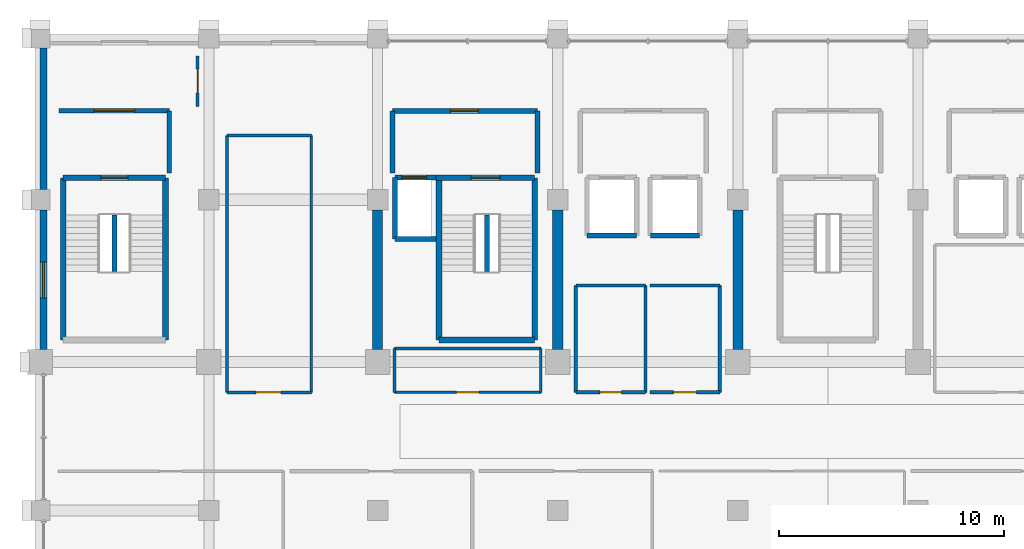
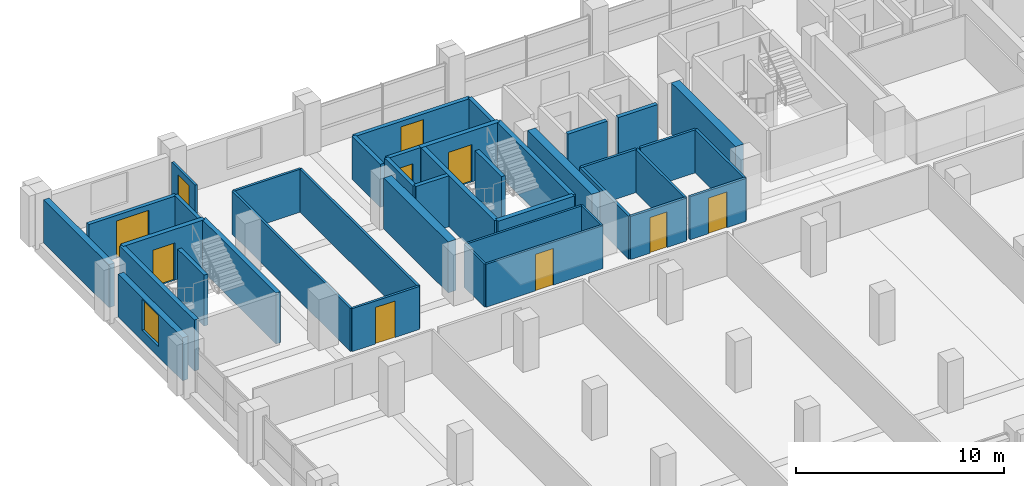
# One storey, part 17 of 22: 40 walls, 10 doors, 1 window, 11 openings.
"""IFC4 building model written with IfcOpenShell, lengths in metres."""

import ifcopenshell
import ifcopenshell.guid

model = None  # the IFC model being written
_history = None  # IfcOwnerHistory: only IFC2X3 demands one
_inside = {}  # id of a spatial element -> (the spatial element, [elements in it])
_under = {}  # id of a project, library or spatial element -> (it, [spatial elements below it])
_declared = {}  # id of a project -> (the project, [libraries it declares])
_typed = {}  # id of a type object -> (the type object, [elements of that type])
_made_of = {}  # id of a material, layer set ... -> (it, [elements and type objects made of it])


def new_model(schema):
    """Start an empty IFC model of exactly this schema.

    Asked for "IFC4X3", IfcOpenShell would pick the latest addendum, in which some entities
    have other attributes; the version numbers below select the first issue.
    IFC2X3 requires an IfcOwnerHistory on every rooted entity: one is made here for all.
    """
    global model, _history
    if schema == "IFC4X3":
        model = ifcopenshell.file(schema_version=(4, 3, 0, 0))
    else:
        model = ifcopenshell.file(schema=schema)
    _inside.clear()
    _under.clear()
    _declared.clear()
    _typed.clear()
    _made_of.clear()
    _history = None
    if model.schema == "IFC2X3":
        org = make("IfcOrganization", Name="unknown")
        user = make(
            "IfcPersonAndOrganization",
            ThePerson=make("IfcPerson", FamilyName="unknown"),
            TheOrganization=org,
        )
        app = make(
            "IfcApplication",
            ApplicationDeveloper=org,
            Version="unknown",
            ApplicationFullName="unknown",
            ApplicationIdentifier="unknown",
        )
        _history = make(
            "IfcOwnerHistory",
            OwningUser=user,
            OwningApplication=app,
            ChangeAction="ADDED",
            CreationDate=0,
        )
    return model


def make(cls, **values):
    """One entity of the class cls with the attributes given. An attribute that is None is left unset."""
    return model.create_entity(
        cls, **{name: value for name, value in values.items() if value is not None}
    )


def rooted(cls, **values):
    """An entity with a GlobalId (a new one), such as an element, a storey or a relation."""
    return make(cls, GlobalId=ifcopenshell.guid.new(), OwnerHistory=_history, **values)


def si_unit(unit_type, name, prefix=None):
    """IfcSIUnit, for example si_unit("LENGTHUNIT", "METRE", prefix="MILLI")."""
    return make("IfcSIUnit", UnitType=unit_type, Prefix=prefix, Name=name)


def assignment(units):
    """IfcUnitAssignment: the units of a project."""
    return None if units is None else make("IfcUnitAssignment", Units=units)


def point(xyz):
    """IfcCartesianPoint."""
    return None if xyz is None else make("IfcCartesianPoint", Coordinates=xyz)


def direction(xyz):
    """IfcDirection."""
    return None if xyz is None else make("IfcDirection", DirectionRatios=xyz)


def frame(location, z_axis=None, x_axis=None):
    """IfcAxis2Placement3D, a coordinate frame: its origin and axes. An axis left out is left unset."""
    return make(
        "IfcAxis2Placement3D",
        Location=point(location),
        Axis=direction(z_axis),
        RefDirection=direction(x_axis),
    )


def frame_2d(location, x_axis=None):
    """IfcAxis2Placement2D, a coordinate frame in the plane: its origin and x axis."""
    return make(
        "IfcAxis2Placement2D", Location=point(location), RefDirection=direction(x_axis)
    )


def origin():
    """The frame at (0, 0, 0) with its axes left unset."""
    return frame((0.0, 0.0, 0.0))


def place(relative_to, where):
    """IfcLocalPlacement: puts the frame where relative to a parent placement (None: the world)."""
    return make(
        "IfcLocalPlacement", PlacementRelTo=relative_to, RelativePlacement=where
    )


def context(
    kind, dimensions, precision=None, world=None, true_north=None, identifier=None
):
    """IfcGeometricRepresentationContext, for example the 3D "Model" context."""
    return make(
        "IfcGeometricRepresentationContext",
        ContextIdentifier=identifier,
        ContextType=kind,
        CoordinateSpaceDimension=dimensions,
        Precision=precision,
        WorldCoordinateSystem=world,
        TrueNorth=true_north,
    )


def subcontext(parent, identifier, kind, view, scale=None):
    """IfcGeometricRepresentationSubContext, for example "Body" below "Model"."""
    return make(
        "IfcGeometricRepresentationSubContext",
        ContextIdentifier=identifier,
        ContextType=kind,
        ParentContext=parent,
        TargetScale=scale,
        TargetView=view,
    )


def project(units=None, contexts=None):
    """IfcProject with its units and contexts."""
    return rooted(
        "IfcProject",
        Name="project",
        RepresentationContexts=contexts,
        UnitsInContext=assignment(units),
    )


def spatial(cls, under=None, at=None, **own):
    """A site, building, storey or space (cls), placed at a placement, below another one or the project."""
    s = rooted(cls, ObjectPlacement=at, **own)
    if under is not None:
        _under.setdefault(under.id(), (under, []))[1].append(s)
    return s


def profile(cls, at=None, kind="AREA", **sizes):
    """A parametric profile (cls). Its sizes go by their IFC names, for example OverallWidth=200.0."""
    return make(cls, ProfileType=kind, Position=at, **sizes)


def rectangle(**sizes):
    """IfcRectangleProfileDef."""
    return profile("IfcRectangleProfileDef", **sizes)


def extrude(swept, where, along, depth):
    """IfcExtrudedAreaSolid: the profile swept, set in the frame where, extruded along a direction by depth."""
    return make(
        "IfcExtrudedAreaSolid",
        SweptArea=swept,
        Position=where,
        ExtrudedDirection=direction(along),
        Depth=depth,
    )


def shape(context_of_items, identifier, shape_type, items):
    """IfcShapeRepresentation: the items that make up one representation, for example the "Body"."""
    return make(
        "IfcShapeRepresentation",
        ContextOfItems=context_of_items,
        RepresentationIdentifier=identifier,
        RepresentationType=shape_type,
        Items=items,
    )


def material(Name=None, Category=None):
    """IfcMaterial."""
    return make("IfcMaterial", Name=Name, Category=Category)


def layer(
    of_material, thickness, ventilated=None, Name=None, Category=None, Priority=None
):
    """IfcMaterialLayer: one layer of a wall or slab, of a material (None: an air gap)."""
    return make(
        "IfcMaterialLayer",
        Material=of_material,
        LayerThickness=thickness,
        IsVentilated=ventilated,
        Name=Name,
        Category=Category,
        Priority=Priority,
    )


def layer_set(layers, Name=None):
    """IfcMaterialLayerSet."""
    return make("IfcMaterialLayerSet", MaterialLayers=layers, LayerSetName=Name)


def made_of(thing, what):
    """Note that an element or type object is made of a material, layer set ...; save() writes the relation."""
    if what is not None:
        _made_of.setdefault(what.id(), (what, []))[1].append(thing)
    return thing


def type_object(cls, material=None, **own):
    """A type object (cls), such as IfcWallType, which elements share."""
    return made_of(rooted(cls, **own), material)


def element(
    cls,
    number,
    at=None,
    inside=None,
    cuts=None,
    type_object=None,
    material=None,
    context=None,
    identifier="Body",
    shape_type=None,
    held_by="IfcProductDefinitionShape",
    body=None,
    shapes=None,
    **own,
):
    """One element of the class cls, such as IfcWall. Its Tag is "e" and its number.

    at: its placement. inside: the storey or other place that contains it. cuts: it is an
    opening in that element (IfcRelVoidsElement). A single representation is given by context,
    identifier, shape_type and body (its items); several are given by shapes. held_by: the class
    of the entity that holds the representations. save() writes the other relations.
    """
    e = rooted(cls, Tag="e%d" % number, ObjectPlacement=at, **own)
    if body is not None:
        shapes = [shape(context, identifier, shape_type, body)]
    if shapes is not None:
        e.Representation = make(held_by, Representations=shapes)
    if inside is not None:
        _inside.setdefault(inside.id(), (inside, []))[1].append(e)
    if cuts is not None:
        rooted(
            "IfcRelVoidsElement", RelatingBuildingElement=cuts, RelatedOpeningElement=e
        )
    if type_object is not None:
        _typed.setdefault(type_object.id(), (type_object, []))[1].append(e)
    return made_of(e, material)


def fill(opening, filler):
    """IfcRelFillsElement: the door or window that sits in an opening."""
    return rooted(
        "IfcRelFillsElement",
        RelatingOpeningElement=opening,
        RelatedBuildingElement=filler,
    )


def aggregate(whole, parts):
    """IfcRelAggregates: a whole, such as a stair, and the parts it consists of."""
    return rooted("IfcRelAggregates", RelatingObject=whole, RelatedObjects=parts)


def save(model, path):
    """Write the relations noted so far, then the file.

    IfcRelAggregates (storeys below a building ...), IfcRelContainedInSpatialStructure (elements
    in a storey), IfcRelDefinesByType, IfcRelAssociatesMaterial and IfcRelDeclares: one each for
    every whole, place, type object, material and project.
    """
    for whole, parts in _under.values():
        aggregate(whole, parts)
    for where, things in _inside.values():
        rooted(
            "IfcRelContainedInSpatialStructure",
            RelatedElements=things,
            RelatingStructure=where,
        )
    for kind, things in _typed.values():
        rooted("IfcRelDefinesByType", RelatedObjects=things, RelatingType=kind)
    for what, things in _made_of.values():
        rooted("IfcRelAssociatesMaterial", RelatedObjects=things, RelatingMaterial=what)
    for by, libraries in _declared.values():
        rooted("IfcRelDeclares", RelatingContext=by, RelatedDefinitions=libraries)
    model.write(path)


model = new_model("IFC4")

# Units and contexts
model_context = context("Model", 3, precision=1e-05, world=origin(), true_north=direction((0.0, 1.0)))
body_context = subcontext(model_context, "Body", "Model", "MODEL_VIEW")
ifc_project = project(units=[si_unit("LENGTHUNIT", "METRE"), si_unit("AREAUNIT", "SQUARE_METRE"), si_unit("VOLUMEUNIT", "CUBIC_METRE"), si_unit("PLANEANGLEUNIT", "RADIAN"), si_unit("MASSUNIT", "GRAM", prefix="KILO")], contexts=[model_context])

# Site, building, storey
site_placement = place(None, origin())
site = spatial("IfcSite", under=ifc_project, at=site_placement, CompositionType="ELEMENT")
building_placement = place(site_placement, origin())
building = spatial("IfcBuilding", under=site, at=building_placement, Name="Akrevak Sports Hall", CompositionType="ELEMENT")
storey_placement = place(building_placement, frame((0.0, 0.0, 30.800048828125)))
storey = spatial("IfcBuildingStorey", under=building, at=storey_placement, Name="L06", CompositionType="ELEMENT", Elevation=30.800048828125)

# Wall
ifc_material_1 = material(Name="Limestone Ashlar", Category="stone")
ifc_layer_1 = layer(ifc_material_1, 0.070068359375, Name="Limestone Ashlar")
ifc_material_2 = material(Name="Mineral Wool Thermal Insulation", Category="insulation")
ifc_layer_2 = layer(ifc_material_2, 0.090087890625, Name="Mineral Wool Thermal Insulation")
ifc_material_3 = material(Name="Concrete C40/50", Category="concrete")
ifc_layer_3 = layer(ifc_material_3, 0.159912109375, Name="Concrete C40/50")
ifc_layer_set_1 = layer_set([ifc_layer_1, ifc_layer_2, ifc_layer_3], Name="Limestone Ashlar / Mineral Wool Thermal Insulation / Concrete C40/50")
wall_type_1 = type_object("IfcWallType", Name="ARC-WL-EXT-320", PredefinedType="SOLIDWALL", material=ifc_layer_set_1)
wall_1_placement = place(storey_placement, frame((45.159912109375, 69.14990234375, 0.0), z_axis=(0.0, 0.0, 1.0), x_axis=(0.0, -1.0, 0.0)))
element("IfcWall", 1, at=wall_1_placement, inside=storey, type_object=wall_type_1, Name="Tower Stone Facade Wall L06-W28", PredefinedType="SOLIDWALL", context=body_context, shape_type="SweptSolid", body=[
    extrude(rectangle(XDim=6.2998046875, YDim=0.320068359375, at=frame_2d((3.14990234375, 0.0))), origin(), (0.0, 0.0, 1.0), 2.530029296875),
])

# Wall, opening, window
wall_2_placement = place(storey_placement, frame((45.159912109375, 61.949951171875, 0.0), z_axis=(0.0, 0.0, 1.0), x_axis=(0.0, -1.0, 0.0)))
wall_2 = element("IfcWall", 2, at=wall_2_placement, inside=storey, type_object=wall_type_1, Name="Tower Stone Facade Wall L06-W29", PredefinedType="SOLIDWALL", context=body_context, shape_type="SweptSolid", body=[
    extrude(rectangle(XDim=6.199951171875, YDim=0.320068359375, at=frame_2d((3.10009765625, 0.0))), origin(), (0.0, 0.0, 1.0), 2.530029296875),
])
opening_1_placement = place(wall_2_placement, frame((2.300048828125, 0.0, 0.6201171875)))
opening_1 = element("IfcOpeningElement", 3, at=opening_1_placement, cuts=wall_2, Name="Opening WN-57", PredefinedType="OPENING", context=body_context, shape_type="SweptSolid", body=[
    extrude(rectangle(XDim=1.60009765625, YDim=1.81005859375, at=frame_2d((0.800048828125, 0.905029296875))), frame((0.0, 0.171875, 0.0), z_axis=(0.0, -1.0, 0.0), x_axis=(1.0, 0.0, 0.0)), (0.0, 0.0, 1.0), 0.343994140625),
])
ifc_material_4 = material(Name="Thermally Broken Bronze Frame & Double Low-E Glass", Category="glass")
window_type = type_object("IfcWindowType", Name="ARC-WIN-SZ-1600x1810", PartitioningType="SINGLE_PANEL", PredefinedType="WINDOW", material=ifc_material_4)
window_placement = place(opening_1_placement, origin())
window = element("IfcWindow", 4, at=window_placement, inside=storey, type_object=window_type, Name="Tower Window L06-W29", OverallHeight=1.81005859375, OverallWidth=1.60009765625, PartitioningType="SINGLE_PANEL", PredefinedType="WINDOW", context=body_context, shape_type="SweptSolid", body=[
    extrude(rectangle(XDim=1.60009765625, YDim=1.81005859375, at=frame_2d((0.800048828125, 0.905029296875))), frame((0.0, 0.030029296875, 0.0), z_axis=(0.0, -1.0, 0.0), x_axis=(1.0, 0.0, 0.0)), (0.0, 0.0, 1.0), 0.06005859375),
])
fill(opening_1, window)

# Wall, opening, door
ifc_material_5 = material(Name="Standard Metal Stud Partition", Category="gypsum")
ifc_layer_4 = layer(ifc_material_5, 0.1201171875, Name="Standard Metal Stud Partition")
ifc_layer_set_2 = layer_set([ifc_layer_4], Name="Standard Metal Stud Partition")
wall_type_2 = type_object("IfcWallType", Name="ARC-WL-PRT-120", PredefinedType="PARTITIONING", material=ifc_layer_set_2)
wall_3_placement = place(storey_placement, frame((60.75, 53.85009765625, 0.0), z_axis=(0.0, 0.0, 1.0), x_axis=(1.0, 0.0, 0.0)))
wall_3 = element("IfcWall", 5, at=wall_3_placement, inside=storey, type_object=wall_type_2, Name="Interior Partition Federation Technical Office L06-CW (S)", PredefinedType="PARTITIONING", context=body_context, shape_type="SweptSolid", body=[
    extrude(rectangle(XDim=6.5, YDim=0.1201171875, at=frame_2d((3.25, 0.0))), origin(), (0.0, 0.0, 1.0), 2.530029296875),
])
opening_2_placement = place(wall_3_placement, frame((2.75, 0.0, 0.0)))
opening_2 = element("IfcOpeningElement", 6, at=opening_2_placement, cuts=wall_3, Name="Opening ID-06", PredefinedType="OPENING", context=body_context, shape_type="SweptSolid", body=[
    extrude(rectangle(XDim=1.0, YDim=2.14990234375, at=frame_2d((0.5, 1.074951171875))), frame((0.0, 0.072021484375, 0.0), z_axis=(0.0, -1.0, 0.0), x_axis=(1.0, 0.0, 0.0)), (0.0, 0.0, 1.0), 0.14404296875),
])
ifc_material_6 = material(Name="Hardwood Oak Acoustic Leaf", Category="wood")
door_type_1 = type_object("IfcDoorType", Name="ARC-DR-OFF-100x215", OperationType="NOTDEFINED", PredefinedType="DOOR", material=ifc_material_6)
door_1_placement = place(opening_2_placement, origin())
door_1 = element("IfcDoor", 7, at=door_1_placement, inside=storey, type_object=door_type_1, Name="Door to Federation Technical Office L06-CW", OperationType="SINGLE_SWING_LEFT", OverallHeight=2.14990234375, OverallWidth=1.0, PredefinedType="DOOR", context=body_context, shape_type="SweptSolid", body=[
    extrude(rectangle(XDim=1.0, YDim=2.14990234375, at=frame_2d((0.5, 1.074951171875))), frame((0.0, 0.02490234375, 0.0), z_axis=(0.0, -1.0, 0.0), x_axis=(1.0, 0.0, 0.0)), (0.0, 0.0, 1.0), 0.050048828125),
])
fill(opening_2, door_1)

# Walls
wall_4_placement = place(storey_placement, frame((60.75, 55.800048828125, 0.0), z_axis=(0.0, 0.0, 1.0), x_axis=(1.0, 0.0, 0.0)))
element("IfcWall", 8, at=wall_4_placement, inside=storey, type_object=wall_type_2, Name="Interior Partition Federation Technical Office L06-CW (N)", PredefinedType="PARTITIONING", context=body_context, shape_type="SweptSolid", body=[
    extrude(rectangle(XDim=6.5, YDim=0.1201171875, at=frame_2d((3.25, 0.0))), origin(), (0.0, 0.0, 1.0), 2.530029296875),
])
for number, where, z_axis, x_axis, name in (
    (9, (60.75, 53.85009765625, 0.0), (0.0, 0.0, 1.0), (0.0, 1.0, 0.0), "Interior Partition Federation Technical Office L06-CW (W)"),
    (10, (67.25, 53.85009765625, 0.0), (0.0, 0.0, 1.0), (0.0, 1.0, 0.0), "Interior Partition Federation Technical Office L06-CW (E)"),
):
    element("IfcWall", number, at=place(storey_placement, frame(where, z_axis=z_axis, x_axis=x_axis)), inside=storey, type_object=wall_type_2, Name=name, PredefinedType="PARTITIONING", context=body_context, shape_type="SweptSolid", body=[
        extrude(rectangle(XDim=1.949951171875, YDim=0.1201171875, at=frame_2d((0.97509765625, 0.0))), origin(), (0.0, 0.0, 1.0), 2.530029296875),
    ])

# Wall, opening, door
ifc_material_7 = material(Name="Acoustic Metal Stud Partition", Category="gypsum")
ifc_layer_5 = layer(ifc_material_7, 0.1298828125, Name="Acoustic Metal Stud Partition")
ifc_layer_set_3 = layer_set([ifc_layer_5], Name="Acoustic Metal Stud Partition")
wall_type_3 = type_object("IfcWallType", Name="ARC-WL-PRT-130", PredefinedType="PARTITIONING", material=ifc_layer_set_3)
wall_5_placement = place(storey_placement, frame((53.300048828125, 53.85009765625, 0.0), z_axis=(0.0, 0.0, 1.0), x_axis=(1.0, 0.0, 0.0)))
wall_5 = element("IfcWall", 11, at=wall_5_placement, inside=storey, type_object=wall_type_3, Name="Interior Partition Federation Research Office L06-W1 (S)", PredefinedType="PARTITIONING", context=body_context, shape_type="SweptSolid", body=[
    extrude(rectangle(XDim=3.75, YDim=0.1298828125, at=frame_2d((1.875, 0.0))), origin(), (0.0, 0.0, 1.0), 2.530029296875),
])
opening_3_placement = place(wall_5_placement, frame((1.300048828125, 0.0, 0.0)))
opening_3 = element("IfcOpeningElement", 12, at=opening_3_placement, cuts=wall_5, Name="Opening ID-04", PredefinedType="OPENING", context=body_context, shape_type="SweptSolid", body=[
    extrude(rectangle(XDim=1.10009765625, YDim=2.14990234375, at=frame_2d((0.550048828125, 1.074951171875))), frame((0.0, 0.076904296875, 0.0), z_axis=(0.0, -1.0, 0.0), x_axis=(1.0, 0.0, 0.0)), (0.0, 0.0, 1.0), 0.15380859375),
])
door_type_2 = type_object("IfcDoorType", Name="ARC-DR-OFF-110x215", OperationType="NOTDEFINED", PredefinedType="DOOR", material=ifc_material_6)
door_2_placement = place(opening_3_placement, frame((1.10009765625, 0.0, 0.0), z_axis=(0.0, 0.0, 1.0), x_axis=(-1.0, 0.0, 0.0)))
door_2 = element("IfcDoor", 13, at=door_2_placement, inside=storey, type_object=door_type_2, Name="Door to Federation Research Office L06-W1", OperationType="SINGLE_SWING_RIGHT", OverallHeight=2.14990234375, OverallWidth=1.10009765625, PredefinedType="DOOR", context=body_context, shape_type="SweptSolid", body=[
    extrude(rectangle(XDim=1.10009765625, YDim=2.14990234375, at=frame_2d((0.550048828125, 1.074951171875))), frame((0.0, 0.02490234375, 0.0), z_axis=(0.0, -1.0, 0.0), x_axis=(1.0, 0.0, 0.0)), (0.0, 0.0, 1.0), 0.050048828125),
])
fill(opening_3, door_2)

# Walls
wall_6_placement = place(storey_placement, frame((53.300048828125, 65.25, 0.0), z_axis=(0.0, 0.0, 1.0), x_axis=(1.0, 0.0, 0.0)))
element("IfcWall", 14, at=wall_6_placement, inside=storey, type_object=wall_type_3, Name="Interior Partition Federation Research Office L06-W1 (N)", PredefinedType="PARTITIONING", context=body_context, shape_type="SweptSolid", body=[
    extrude(rectangle(XDim=3.75, YDim=0.1298828125, at=frame_2d((1.875, 0.0))), origin(), (0.0, 0.0, 1.0), 2.530029296875),
])
for number, where, z_axis, x_axis, name in (
    (15, (53.300048828125, 53.85009765625, 0.0), (0.0, 0.0, 1.0), (0.0, 1.0, 0.0), "Interior Partition Federation Research Office L06-W1 (W)"),
    (16, (57.050048828125, 53.85009765625, 0.0), (0.0, 0.0, 1.0), (0.0, 1.0, 0.0), "Interior Partition Federation Research Office L06-W1 (E)"),
):
    element("IfcWall", number, at=place(storey_placement, frame(where, z_axis=z_axis, x_axis=x_axis)), inside=storey, type_object=wall_type_3, Name=name, PredefinedType="PARTITIONING", context=body_context, shape_type="SweptSolid", body=[
        extrude(rectangle(XDim=11.39990234375, YDim=0.1298828125, at=frame_2d((5.699951171875, 0.0))), origin(), (0.0, 0.0, 1.0), 2.530029296875),
    ])

# Wall, opening, door
wall_7_placement = place(storey_placement, frame((52.0, 66.550048828125, 0.0), z_axis=(0.0, 0.0, 1.0), x_axis=(0.0, 1.0, 0.0)))
wall_7 = element("IfcWall", 17, at=wall_7_placement, inside=storey, type_object=wall_type_3, Name="Interior Partition Federation Records Office L06-NW (E)", PredefinedType="PARTITIONING", context=body_context, shape_type="SweptSolid", body=[
    extrude(rectangle(XDim=2.25, YDim=0.1298828125, at=frame_2d((1.125, 0.0))), origin(), (0.0, 0.0, 1.0), 2.530029296875),
])
opening_4_placement = place(wall_7_placement, frame((0.60498046875, 0.0, 0.0)))
opening_4 = element("IfcOpeningElement", 18, at=opening_4_placement, cuts=wall_7, Name="Opening ID-05", PredefinedType="OPENING", context=body_context, shape_type="SweptSolid", body=[
    extrude(rectangle(XDim=1.050048828125, YDim=2.14990234375, at=frame_2d((0.52490234375, 1.074951171875))), frame((0.0, 0.076904296875, 0.0), z_axis=(0.0, -1.0, 0.0), x_axis=(1.0, 0.0, 0.0)), (0.0, 0.0, 1.0), 0.15380859375),
])
door_type_3 = type_object("IfcDoorType", Name="ARC-DR-OFF-105x215", OperationType="NOTDEFINED", PredefinedType="DOOR", material=ifc_material_6)
door_3_placement = place(opening_4_placement, frame((1.050048828125, 0.0, 0.0), z_axis=(0.0, 0.0, 1.0), x_axis=(-1.0, 0.0, 0.0)))
door_3 = element("IfcDoor", 19, at=door_3_placement, inside=storey, type_object=door_type_3, Name="Door to Federation Records Office L06-NW", OperationType="SINGLE_SWING_RIGHT", OverallHeight=2.14990234375, OverallWidth=1.050048828125, PredefinedType="DOOR", context=body_context, shape_type="SweptSolid", body=[
    extrude(rectangle(XDim=1.050048828125, YDim=2.14990234375, at=frame_2d((0.52490234375, 1.074951171875))), frame((0.0, 0.02490234375, 0.0), z_axis=(0.0, -1.0, 0.0), x_axis=(1.0, 0.0, 0.0)), (0.0, 0.0, 1.0), 0.050048828125),
])
fill(opening_4, door_3)

ifc_material_8 = material(Name="Moisture-Resistant Wet-Area Partition", Category="gypsum")
ifc_layer_6 = layer(ifc_material_8, 0.139892578125, Name="Moisture-Resistant Wet-Area Partition")
ifc_layer_set_4 = layer_set([ifc_layer_6], Name="Moisture-Resistant Wet-Area Partition")
wall_type_4 = type_object("IfcWallType", Name="ARC-WL-PRT-140", PredefinedType="PARTITIONING", material=ifc_layer_set_4)
wall_8_placement = place(storey_placement, frame((68.800048828125, 53.85009765625, 0.0), z_axis=(0.0, 0.0, 1.0), x_axis=(1.0, 0.0, 0.0)))
wall_8 = element("IfcWall", 20, at=wall_8_placement, inside=storey, type_object=wall_type_4, Name="Interior Partition Men WC L06 (S)", PredefinedType="PARTITIONING", context=body_context, shape_type="SweptSolid", body=[
    extrude(rectangle(XDim=3.099853515625, YDim=0.139892578125, at=frame_2d((1.5498046875, 0.0))), origin(), (0.0, 0.0, 1.0), 2.530029296875),
])
opening_5_placement = place(wall_8_placement, frame((1.074951171875, 0.0, 0.0)))
opening_5 = element("IfcOpeningElement", 21, at=opening_5_placement, cuts=wall_8, Name="Opening ID-08", PredefinedType="OPENING", context=body_context, shape_type="SweptSolid", body=[
    extrude(rectangle(XDim=0.949951171875, YDim=2.10009765625, at=frame_2d((0.47509765625, 1.050048828125))), frame((0.0, 0.08203125, 0.0), z_axis=(0.0, -1.0, 0.0), x_axis=(1.0, 0.0, 0.0)), (0.0, 0.0, 1.0), 0.163818359375),
])
ifc_material_9 = material(Name="High-Pressure Laminate & Aluminium", Category="aluminium")
door_type_4 = type_object("IfcDoorType", Name="ARC-DR-WC-095x210", OperationType="NOTDEFINED", PredefinedType="DOOR", material=ifc_material_9)
door_4_placement = place(opening_5_placement, origin())
door_4 = element("IfcDoor", 22, at=door_4_placement, inside=storey, type_object=door_type_4, Name="Door to Men WC L06", OperationType="SINGLE_SWING_LEFT", OverallHeight=2.10009765625, OverallWidth=0.949951171875, PredefinedType="DOOR", context=body_context, shape_type="SweptSolid", body=[
    extrude(rectangle(XDim=0.949951171875, YDim=2.10009765625, at=frame_2d((0.47509765625, 1.050048828125))), frame((0.0, 0.02490234375, 0.0), z_axis=(0.0, -1.0, 0.0), x_axis=(1.0, 0.0, 0.0)), (0.0, 0.0, 1.0), 0.050048828125),
])
fill(opening_5, door_4)

# Walls
wall_9_placement = place(storey_placement, frame((68.800048828125, 58.60009765625, 0.0), z_axis=(0.0, 0.0, 1.0), x_axis=(1.0, 0.0, 0.0)))
element("IfcWall", 23, at=wall_9_placement, inside=storey, type_object=wall_type_4, Name="Interior Partition Men WC L06 (N)", PredefinedType="PARTITIONING", context=body_context, shape_type="SweptSolid", body=[
    extrude(rectangle(XDim=3.099853515625, YDim=0.139892578125, at=frame_2d((1.5498046875, 0.0))), origin(), (0.0, 0.0, 1.0), 2.530029296875),
])
for number, where, z_axis, x_axis, name in (
    (24, (68.800048828125, 53.85009765625, 0.0), (0.0, 0.0, 1.0), (0.0, 1.0, 0.0), "Interior Partition Men WC L06 (W)"),
    (25, (71.89990234375, 53.85009765625, 0.0), (0.0, 0.0, 1.0), (0.0, 1.0, 0.0), "Interior Partition Men WC L06 (E)"),
):
    element("IfcWall", number, at=place(storey_placement, frame(where, z_axis=z_axis, x_axis=x_axis)), inside=storey, type_object=wall_type_4, Name=name, PredefinedType="PARTITIONING", context=body_context, shape_type="SweptSolid", body=[
        extrude(rectangle(XDim=4.75, YDim=0.139892578125, at=frame_2d((2.375, 0.0))), origin(), (0.0, 0.0, 1.0), 2.530029296875),
    ])

# Wall, opening, door
wall_10_placement = place(storey_placement, frame((72.10009765625, 53.85009765625, 0.0), z_axis=(0.0, 0.0, 1.0), x_axis=(1.0, 0.0, 0.0)))
wall_10 = element("IfcWall", 26, at=wall_10_placement, inside=storey, type_object=wall_type_4, Name="Interior Partition Accessible WC L06 (S)", PredefinedType="PARTITIONING", context=body_context, shape_type="SweptSolid", body=[
    extrude(rectangle(XDim=3.099853515625, YDim=0.139892578125, at=frame_2d((1.5498046875, 0.0))), origin(), (0.0, 0.0, 1.0), 2.530029296875),
])
opening_6_placement = place(wall_10_placement, frame((1.0400390625, 0.0, 0.0)))
opening_6 = element("IfcOpeningElement", 27, at=opening_6_placement, cuts=wall_10, Name="Opening ID-09", PredefinedType="OPENING", context=body_context, shape_type="SweptSolid", body=[
    extrude(rectangle(XDim=1.02001953125, YDim=2.10009765625, at=frame_2d((0.510009765625, 1.050048828125))), frame((0.0, 0.08203125, 0.0), z_axis=(0.0, -1.0, 0.0), x_axis=(1.0, 0.0, 0.0)), (0.0, 0.0, 1.0), 0.163818359375),
])
door_type_5 = type_object("IfcDoorType", Name="ARC-DR-AWC-102x210", OperationType="NOTDEFINED", PredefinedType="DOOR", material=ifc_material_9)
door_5_placement = place(opening_6_placement, frame((1.02001953125, 0.0, 0.0), z_axis=(0.0, 0.0, 1.0), x_axis=(-1.0, 0.0, 0.0)))
door_5 = element("IfcDoor", 28, at=door_5_placement, inside=storey, type_object=door_type_5, Name="Door to Accessible WC L06", OperationType="SINGLE_SWING_RIGHT", OverallHeight=2.10009765625, OverallWidth=1.02001953125, PredefinedType="DOOR", context=body_context, shape_type="SweptSolid", body=[
    extrude(rectangle(XDim=1.02001953125, YDim=2.10009765625, at=frame_2d((0.510009765625, 1.050048828125))), frame((0.0, 0.02490234375, 0.0), z_axis=(0.0, -1.0, 0.0), x_axis=(1.0, 0.0, 0.0)), (0.0, 0.0, 1.0), 0.050048828125),
])
fill(opening_6, door_5)

# Walls
wall_11_placement = place(storey_placement, frame((72.10009765625, 58.60009765625, 0.0), z_axis=(0.0, 0.0, 1.0), x_axis=(1.0, 0.0, 0.0)))
element("IfcWall", 29, at=wall_11_placement, inside=storey, type_object=wall_type_4, Name="Interior Partition Accessible WC L06 (N)", PredefinedType="PARTITIONING", context=body_context, shape_type="SweptSolid", body=[
    extrude(rectangle(XDim=3.099853515625, YDim=0.139892578125, at=frame_2d((1.5498046875, 0.0))), origin(), (0.0, 0.0, 1.0), 2.530029296875),
])
wall_12_placement = place(storey_placement, frame((75.199951171875, 53.85009765625, 0.0), z_axis=(0.0, 0.0, 1.0), x_axis=(0.0, 1.0, 0.0)))
element("IfcWall", 30, at=wall_12_placement, inside=storey, type_object=wall_type_4, Name="Interior Partition Accessible WC L06 (E)", PredefinedType="PARTITIONING", context=body_context, shape_type="SweptSolid", body=[
    extrude(rectangle(XDim=4.75, YDim=0.139892578125, at=frame_2d((2.375, 0.0))), origin(), (0.0, 0.0, 1.0), 2.530029296875),
])

# Wall, opening, door
ifc_material_10 = material(Name="Autoclaved Aerated Masonry Block", Category="masonry")
ifc_layer_7 = layer(ifc_material_10, 0.199951171875, Name="Autoclaved Aerated Masonry Block")
ifc_layer_set_5 = layer_set([ifc_layer_7], Name="Autoclaved Aerated Masonry Block")
wall_type_5 = type_object("IfcWallType", Name="ARC-WL-PRT-200", PredefinedType="PARTITIONING", material=ifc_layer_set_5)
wall_13_placement = place(storey_placement, frame((45.85009765625, 66.35009765625, 0.0), z_axis=(0.0, 0.0, 1.0), x_axis=(1.0, 0.0, 0.0)))
wall_13 = element("IfcWall", 31, at=wall_13_placement, inside=storey, type_object=wall_type_5, Name="Interior Partition West Wing Stair ST4 Vestibule L06 (N)", PredefinedType="PARTITIONING", context=body_context, shape_type="SweptSolid", body=[
    extrude(rectangle(XDim=4.89990234375, YDim=0.199951171875, at=frame_2d((2.449951171875, 0.0))), origin(), (0.0, 0.0, 1.0), 2.530029296875),
])
opening_7_placement = place(wall_13_placement, frame((1.550048828125, 0.0, 0.0)))
opening_7 = element("IfcOpeningElement", 32, at=opening_7_placement, cuts=wall_13, Name="Opening FD-02", PredefinedType="OPENING", context=body_context, shape_type="SweptSolid", body=[
    extrude(rectangle(XDim=1.800048828125, YDim=2.199951171875, at=frame_2d((0.89990234375, 1.10009765625))), frame((0.0, 0.11181640625, 0.0), z_axis=(0.0, -1.0, 0.0), x_axis=(1.0, 0.0, 0.0)), (0.0, 0.0, 1.0), 0.223876953125),
])
ifc_material_11 = material(Name="Fire-Rated Galvanized Door Steel", Category="steel")
door_type_6 = type_object("IfcDoorType", Name="ARC-DR-FIRE-180x220", OperationType="DOUBLE_DOOR_SINGLE_SWING", PredefinedType="DOOR", material=ifc_material_11)
door_6_placement = place(opening_7_placement, frame((1.800048828125, 0.0, 0.0), z_axis=(0.0, 0.0, 1.0), x_axis=(-1.0, 0.0, 0.0)))
door_6 = element("IfcDoor", 33, at=door_6_placement, inside=storey, type_object=door_type_6, Name="Door to West Wing Stair ST4 Vestibule L06", OperationType="DOUBLE_DOOR_SINGLE_SWING", OverallHeight=2.199951171875, OverallWidth=1.800048828125, PredefinedType="DOOR", context=body_context, shape_type="SweptSolid", body=[
    extrude(rectangle(XDim=1.800048828125, YDim=2.199951171875, at=frame_2d((0.89990234375, 1.10009765625))), frame((0.0, 0.02490234375, 0.0), z_axis=(0.0, -1.0, 0.0), x_axis=(1.0, 0.0, 0.0)), (0.0, 0.0, 1.0), 0.050048828125),
])
fill(opening_7, door_6)

# Walls
wall_14_placement = place(storey_placement, frame((50.75, 63.60009765625, 0.0), z_axis=(0.0, 0.0, 1.0), x_axis=(0.0, 1.0, 0.0)))
element("IfcWall", 34, at=wall_14_placement, inside=storey, type_object=wall_type_5, Name="Interior Partition West Wing Stair ST4 Vestibule L06 (E)", PredefinedType="PARTITIONING", context=body_context, shape_type="SweptSolid", body=[
    extrude(rectangle(XDim=2.75, YDim=0.199951171875, at=frame_2d((1.375, 0.0))), origin(), (0.0, 0.0, 1.0), 2.530029296875),
])
ifc_layer_8 = layer(ifc_material_3, 0.219970703125, Name="Concrete C40/50")
ifc_layer_set_6 = layer_set([ifc_layer_8], Name="Concrete C40/50")
wall_type_6 = type_object("IfcWallType", Name="ARC-WL-PRT-220", PredefinedType="PARTITIONING", material=ifc_layer_set_6)
for number, where, z_axis, x_axis, name in (
    (35, (64.85009765625, 59.215087890625, 0.0), (0.0, 0.0, 1.0), (0.0, 1.0, 0.0), "Stair ST1 Central Spine Wall (L06)"),
    (36, (48.300048828125, 59.215087890625, 0.0), (0.0, 0.0, 1.0), (0.0, 1.0, 0.0), "Stair ST4 Central Spine Wall (L06)"),
):
    element("IfcWall", number, at=place(storey_placement, frame(where, z_axis=z_axis, x_axis=x_axis)), inside=storey, type_object=wall_type_6, Name=name, PredefinedType="PARTITIONING", context=body_context, shape_type="SweptSolid", body=[
        extrude(rectangle(XDim=2.52001953125, YDim=0.219970703125, at=frame_2d((1.260009765625, 0.0))), origin(), (0.0, 0.0, 1.0), 3.0),
    ])

# Wall, opening, door
wall_15_placement = place(storey_placement, frame((60.64990234375, 66.35009765625, 0.0), z_axis=(0.0, 0.0, 1.0), x_axis=(1.0, 0.0, 0.0)))
wall_15 = element("IfcWall", 37, at=wall_15_placement, inside=storey, type_object=wall_type_6, Name="Interior Partition Firefighting Lobby West L06 (N)", PredefinedType="PARTITIONING", context=body_context, shape_type="SweptSolid", body=[
    extrude(rectangle(XDim=6.4501953125, YDim=0.219970703125, at=frame_2d((3.22509765625, 0.0))), origin(), (0.0, 0.0, 1.0), 2.530029296875),
])
opening_8_placement = place(wall_15_placement, frame((2.574951171875, 0.0, 0.0)))
opening_8 = element("IfcOpeningElement", 38, at=opening_8_placement, cuts=wall_15, Name="Opening FD-01", PredefinedType="OPENING", context=body_context, shape_type="SweptSolid", body=[
    extrude(rectangle(XDim=1.25, YDim=2.199951171875, at=frame_2d((0.625, 1.10009765625))), frame((0.0, 0.1220703125, 0.0), z_axis=(0.0, -1.0, 0.0), x_axis=(1.0, 0.0, 0.0)), (0.0, 0.0, 1.0), 0.243896484375),
])
door_type_7 = type_object("IfcDoorType", Name="ARC-DR-FFL-125x220", OperationType="NOTDEFINED", PredefinedType="DOOR", material=ifc_material_11)
door_7_placement = place(opening_8_placement, frame((1.25, 0.0, 0.0), z_axis=(0.0, 0.0, 1.0), x_axis=(-1.0, 0.0, 0.0)))
door_7 = element("IfcDoor", 39, at=door_7_placement, inside=storey, type_object=door_type_7, Name="Door to Firefighting Lobby West L06", OperationType="SINGLE_SWING_LEFT", OverallHeight=2.199951171875, OverallWidth=1.25, PredefinedType="DOOR", context=body_context, shape_type="SweptSolid", body=[
    extrude(rectangle(XDim=1.25, YDim=2.199951171875, at=frame_2d((0.625, 1.10009765625))), frame((0.0, 0.02490234375, 0.0), z_axis=(0.0, -1.0, 0.0), x_axis=(1.0, 0.0, 0.0)), (0.0, 0.0, 1.0), 0.050048828125),
])
fill(opening_8, door_7)

# Walls
for number, where, z_axis, x_axis, name in (
    (40, (60.64990234375, 63.60009765625, 0.0), (0.0, 0.0, 1.0), (0.0, 1.0, 0.0), "Interior Partition Firefighting Lobby West L06 (W)"),
    (41, (67.10009765625, 63.60009765625, 0.0), (0.0, 0.0, 1.0), (0.0, 1.0, 0.0), "Interior Partition Firefighting Lobby West L06 (E)"),
):
    element("IfcWall", number, at=place(storey_placement, frame(where, z_axis=z_axis, x_axis=x_axis)), inside=storey, type_object=wall_type_6, Name=name, PredefinedType="PARTITIONING", context=body_context, shape_type="SweptSolid", body=[
        extrude(rectangle(XDim=2.75, YDim=0.219970703125, at=frame_2d((1.375, 0.0))), origin(), (0.0, 0.0, 1.0), 2.530029296875),
    ])
ifc_material_12 = material(Name="Concrete C50/60", Category="concrete")
ifc_layer_9 = layer(ifc_material_12, 0.219970703125, Name="Concrete C50/60")
ifc_layer_set_7 = layer_set([ifc_layer_9], Name="Concrete C50/60")
wall_type_7 = type_object("IfcWallType", Name="ARC-WL-SHAFT-220", PredefinedType="SHEAR", material=ifc_layer_set_7)
wall_16_placement = place(storey_placement, frame((60.760009765625, 60.659912109375, 0.0), z_axis=(0.0, 0.0, 1.0), x_axis=(1.0, 0.0, 0.0)))
element("IfcWall", 42, at=wall_16_placement, inside=storey, type_object=wall_type_7, Name="Lift Shaft LF-FF1 Wall S (L06)", PredefinedType="SHEAR", context=body_context, shape_type="SweptSolid", body=[
    extrude(rectangle(XDim=1.840087890625, YDim=0.219970703125, at=frame_2d((0.919921875, 0.0))), origin(), (0.0, 0.0, 1.0), 3.0),
])

# Wall, opening, door
wall_17_placement = place(storey_placement, frame((62.60009765625, 63.389892578125, 0.0), z_axis=(0.0, 0.0, 1.0), x_axis=(-1.0, 0.0, 0.0)))
wall_17 = element("IfcWall", 43, at=wall_17_placement, inside=storey, type_object=wall_type_7, Name="Lift Shaft LF-FF1 Wall N (L06)", PredefinedType="SHEAR", context=body_context, shape_type="SweptSolid", body=[
    extrude(rectangle(XDim=1.840087890625, YDim=0.219970703125, at=frame_2d((0.919921875, 0.0))), origin(), (0.0, 0.0, 1.0), 3.0),
])
opening_9_placement = place(wall_17_placement, frame((0.425048828125, 0.0, 0.0)))
opening_9 = element("IfcOpeningElement", 44, at=opening_9_placement, cuts=wall_17, Name="Opening LD-01", PredefinedType="OPENING", context=body_context, shape_type="SweptSolid", body=[
    extrude(rectangle(XDim=1.10009765625, YDim=2.199951171875, at=frame_2d((0.550048828125, 1.10009765625))), frame((0.0, 0.1220703125, 0.0), z_axis=(0.0, -1.0, 0.0), x_axis=(1.0, 0.0, 0.0)), (0.0, 0.0, 1.0), 0.243896484375),
])
ifc_material_13 = material(Name="Brushed Stainless Steel 304", Category="steel")
door_type_8 = type_object("IfcDoorType", Name="ARC-DR-LD-110x220", OperationType="SLIDING_TO_LEFT", PredefinedType="DOOR", material=ifc_material_13)
door_8_placement = place(opening_9_placement, origin())
door_8 = element("IfcDoor", 45, at=door_8_placement, inside=storey, type_object=door_type_8, Name="Lift LF-FF1 Sliding Landing Door (L06)", OperationType="SLIDING_TO_LEFT", OverallHeight=2.199951171875, OverallWidth=1.10009765625, PredefinedType="DOOR", context=body_context, shape_type="SweptSolid", body=[
    extrude(rectangle(XDim=1.10009765625, YDim=2.199951171875, at=frame_2d((0.550048828125, 1.10009765625))), frame((0.0, 0.02490234375, 0.0), z_axis=(0.0, -1.0, 0.0), x_axis=(1.0, 0.0, 0.0)), (0.0, 0.0, 1.0), 0.050048828125),
])
fill(opening_9, door_8)

# Walls
wall_18_placement = place(storey_placement, frame((60.760009765625, 63.389892578125, 0.0), z_axis=(0.0, 0.0, 1.0), x_axis=(0.0, -1.0, 0.0)))
element("IfcWall", 46, at=wall_18_placement, inside=storey, type_object=wall_type_7, Name="Lift Shaft LF-FF1 Wall W (L06)", PredefinedType="SHEAR", context=body_context, shape_type="SweptSolid", body=[
    extrude(rectangle(XDim=2.72998046875, YDim=0.219970703125, at=frame_2d((1.364990234375, 0.0))), origin(), (0.0, 0.0, 1.0), 3.0),
])
for number, where, z_axis, x_axis, name in (
    (47, (69.31005859375, 60.81005859375, 0.0), (0.0, 0.0, 1.0), (1.0, 0.0, 0.0), "Lift Shaft LF-P1 Wall S (L06)"),
    (48, (72.110107421875, 60.81005859375, 0.0), (0.0, 0.0, 1.0), (1.0, 0.0, 0.0), "Lift Shaft LF-P2 Wall S (L06)"),
):
    element("IfcWall", number, at=place(storey_placement, frame(where, z_axis=z_axis, x_axis=x_axis)), inside=storey, type_object=wall_type_7, Name=name, PredefinedType="SHEAR", context=body_context, shape_type="SweptSolid", body=[
        extrude(rectangle(XDim=2.179931640625, YDim=0.219970703125, at=frame_2d((1.08984375, 0.0))), origin(), (0.0, 0.0, 1.0), 3.0),
    ])
ifc_layer_10 = layer(ifc_material_12, 0.449951171875, Name="Concrete C50/60")
ifc_layer_set_8 = layer_set([ifc_layer_10], Name="Concrete C50/60")
wall_type_8 = type_object("IfcWallType", Name="STR-WL-CORE-450", PredefinedType="SHEAR", material=ifc_layer_set_8)
for number, where, z_axis, x_axis, name in (
    (49, (60.0, 55.75, 0.0), (0.0, 0.0, 1.0), (0.0, 1.0, 0.0), "Reinforced Concrete Shear Wall SW-W2 (L06)"),
    (50, (68.0, 55.75, 0.0), (0.0, 0.0, 1.0), (0.0, 1.0, 0.0), "Reinforced Concrete Shear Wall SW-C1 (L06)"),
    (51, (76.0, 55.75, 0.0), (0.0, 0.0, 1.0), (0.0, 1.0, 0.0), "Reinforced Concrete Shear Wall SW-W1 (L06)"),
):
    element("IfcWall", number, at=place(storey_placement, frame(where, z_axis=z_axis, x_axis=x_axis)), inside=storey, type_object=wall_type_8, Name=name, PredefinedType="SHEAR", context=body_context, shape_type="SweptSolid", body=[
        extrude(rectangle(XDim=6.199951171875, YDim=0.449951171875, at=frame_2d((3.10009765625, 0.0))), origin(), (0.0, 0.0, 1.0), 3.0),
    ])
ifc_layer_11 = layer(ifc_material_12, 0.25, Name="Concrete C50/60")
ifc_layer_set_9 = layer_set([ifc_layer_11], Name="Concrete C50/60")
wall_type_9 = type_object("IfcWallType", Name="STR-WL-STAIR-250", PredefinedType="SHEAR", material=ifc_layer_set_9)
wall_19_placement = place(storey_placement, frame((62.72509765625, 56.175048828125, 0.0), z_axis=(0.0, 0.0, 1.0), x_axis=(1.0, 0.0, 0.0)))
element("IfcWall", 52, at=wall_19_placement, inside=storey, type_object=wall_type_9, Name="Stair Core ST1 Shear Wall S (L06)", PredefinedType="SHEAR", context=body_context, shape_type="SweptSolid", body=[
    extrude(rectangle(XDim=4.25, YDim=0.25, at=frame_2d((2.125, 0.0))), origin(), (0.0, 0.0, 1.0), 3.0),
])

# Wall, opening, door
wall_20_placement = place(storey_placement, frame((66.97509765625, 63.375, 0.0), z_axis=(0.0, 0.0, 1.0), x_axis=(-1.0, 0.0, 0.0)))
wall_20 = element("IfcWall", 53, at=wall_20_placement, inside=storey, type_object=wall_type_9, Name="Stair Core ST1 Shear Wall N (L06)", PredefinedType="SHEAR", context=body_context, shape_type="SweptSolid", body=[
    extrude(rectangle(XDim=4.375, YDim=0.25, at=frame_2d((2.1875, 0.0))), origin(), (0.0, 0.0, 1.0), 3.0),
])
opening_10_placement = place(wall_20_placement, frame((1.53759765625, 0.0, 0.0)))
opening_10 = element("IfcOpeningElement", 54, at=opening_10_placement, cuts=wall_20, Name="Opening SD-01", PredefinedType="OPENING", context=body_context, shape_type="SweptSolid", body=[
    extrude(rectangle(XDim=1.300048828125, YDim=2.199951171875, at=frame_2d((0.64990234375, 1.10009765625))), frame((0.0, 0.136962890625, 0.0), z_axis=(0.0, -1.0, 0.0), x_axis=(1.0, 0.0, 0.0)), (0.0, 0.0, 1.0), 0.27392578125),
])
door_type_9 = type_object("IfcDoorType", Name="ARC-DR-STAIR-130x220", OperationType="NOTDEFINED", PredefinedType="DOOR", material=ifc_material_11)
door_9_placement = place(opening_10_placement, origin())
door_9 = element("IfcDoor", 55, at=door_9_placement, inside=storey, type_object=door_type_9, Name="Exit Stair ST1 Door (L06)", OperationType="SINGLE_SWING_RIGHT", OverallHeight=2.199951171875, OverallWidth=1.300048828125, PredefinedType="DOOR", context=body_context, shape_type="SweptSolid", body=[
    extrude(rectangle(XDim=1.300048828125, YDim=2.199951171875, at=frame_2d((0.64990234375, 1.10009765625))), frame((0.0, 0.02490234375, 0.0), z_axis=(0.0, -1.0, 0.0), x_axis=(1.0, 0.0, 0.0)), (0.0, 0.0, 1.0), 0.050048828125),
])
fill(opening_10, door_9)

# Walls
wall_21_placement = place(storey_placement, frame((62.72509765625, 63.25, 0.0), z_axis=(0.0, 0.0, 1.0), x_axis=(0.0, -1.0, 0.0)))
element("IfcWall", 56, at=wall_21_placement, inside=storey, type_object=wall_type_9, Name="Stair Core ST1 Shear Wall W (L06)", PredefinedType="SHEAR", context=body_context, shape_type="SweptSolid", body=[
    extrude(rectangle(XDim=7.074951171875, YDim=0.25, at=frame_2d((3.53759765625, 0.0))), origin(), (0.0, 0.0, 1.0), 3.0),
])
wall_22_placement = place(storey_placement, frame((66.97509765625, 56.175048828125, 0.0), z_axis=(0.0, 0.0, 1.0), x_axis=(0.0, 1.0, 0.0)))
element("IfcWall", 57, at=wall_22_placement, inside=storey, type_object=wall_type_9, Name="Stair Core ST1 Shear Wall E (L06)", PredefinedType="SHEAR", context=body_context, shape_type="SweptSolid", body=[
    extrude(rectangle(XDim=7.199951171875, YDim=0.25, at=frame_2d((3.60009765625, 0.0))), origin(), (0.0, 0.0, 1.0), 3.0),
])

# Wall, opening, door
wall_23_placement = place(storey_placement, frame((50.574951171875, 63.375, 0.0), z_axis=(0.0, 0.0, 1.0), x_axis=(-1.0, 0.0, 0.0)))
wall_23 = element("IfcWall", 58, at=wall_23_placement, inside=storey, type_object=wall_type_9, Name="Stair Core ST4 Shear Wall N (L06)", PredefinedType="SHEAR", context=body_context, shape_type="SweptSolid", body=[
    extrude(rectangle(XDim=4.550048828125, YDim=0.25, at=frame_2d((2.27490234375, 0.0))), origin(), (0.0, 0.0, 1.0), 3.0),
])
opening_11_placement = place(wall_23_placement, frame((1.675048828125, 0.0, 0.0)))
opening_11 = element("IfcOpeningElement", 59, at=opening_11_placement, cuts=wall_23, Name="Opening SD-02", PredefinedType="OPENING", context=body_context, shape_type="SweptSolid", body=[
    extrude(rectangle(XDim=1.199951171875, YDim=2.199951171875, at=frame_2d((0.60009765625, 1.10009765625))), frame((0.0, 0.136962890625, 0.0), z_axis=(0.0, -1.0, 0.0), x_axis=(1.0, 0.0, 0.0)), (0.0, 0.0, 1.0), 0.27392578125),
])
door_type_10 = type_object("IfcDoorType", Name="ARC-DR-STAIR-120x220", OperationType="NOTDEFINED", PredefinedType="DOOR", material=ifc_material_11)
door_10_placement = place(opening_11_placement, origin())
door_10 = element("IfcDoor", 60, at=door_10_placement, inside=storey, type_object=door_type_10, Name="Exit Stair ST4 Door (L06)", OperationType="SINGLE_SWING_LEFT", OverallHeight=2.199951171875, OverallWidth=1.199951171875, PredefinedType="DOOR", context=body_context, shape_type="SweptSolid", body=[
    extrude(rectangle(XDim=1.199951171875, YDim=2.199951171875, at=frame_2d((0.60009765625, 1.10009765625))), frame((0.0, 0.02490234375, 0.0), z_axis=(0.0, -1.0, 0.0), x_axis=(1.0, 0.0, 0.0)), (0.0, 0.0, 1.0), 0.050048828125),
])
fill(opening_11, door_10)

# Walls
for number, where, z_axis, x_axis, name in (
    (61, (46.02490234375, 63.375, 0.0), (0.0, 0.0, 1.0), (0.0, -1.0, 0.0), "Stair Core ST4 Shear Wall W (L06)"),
    (62, (50.574951171875, 56.175048828125, 0.0), (0.0, 0.0, 1.0), (0.0, 1.0, 0.0), "Stair Core ST4 Shear Wall E (L06)"),
):
    element("IfcWall", number, at=place(storey_placement, frame(where, z_axis=z_axis, x_axis=x_axis)), inside=storey, type_object=wall_type_9, Name=name, PredefinedType="SHEAR", context=body_context, shape_type="SweptSolid", body=[
        extrude(rectangle(XDim=7.199951171875, YDim=0.25, at=frame_2d((3.60009765625, 0.0))), origin(), (0.0, 0.0, 1.0), 3.0),
    ])

save(model, "model.ifc")
